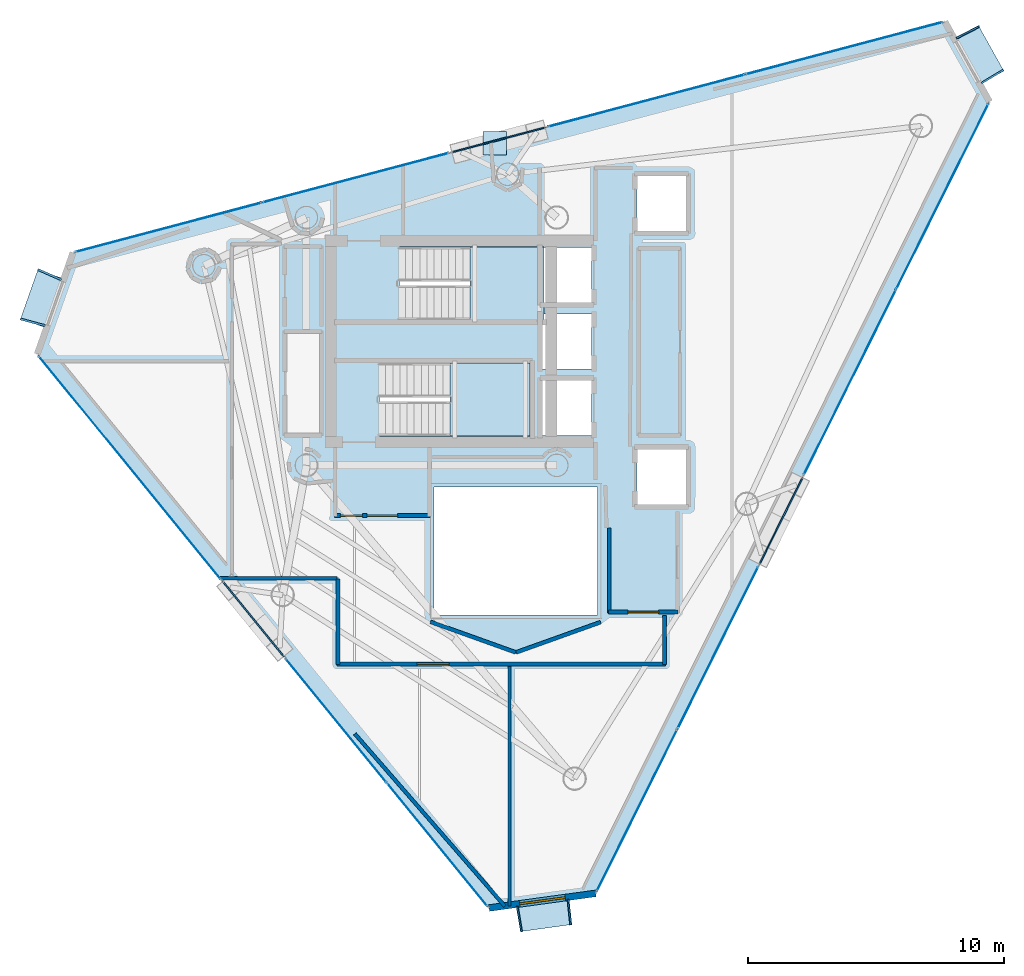
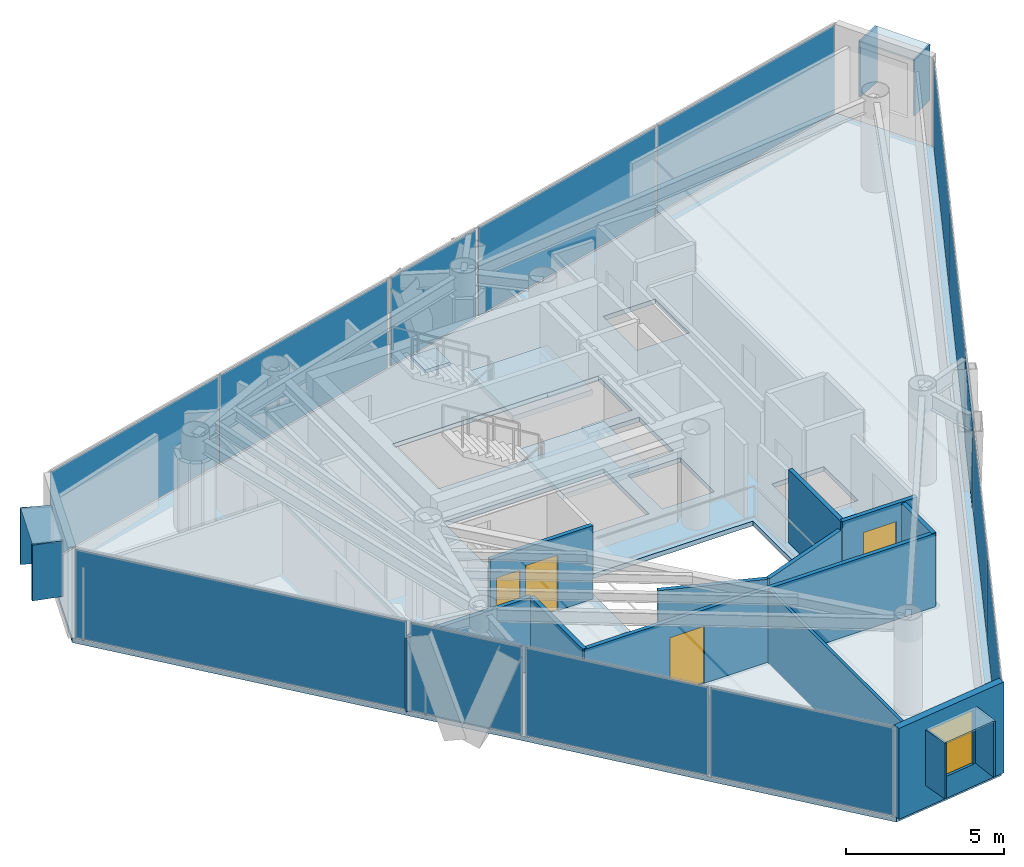
# One storey, part 18 of 23: 24 plates, 12 walls, 4 doors, 3 slabs, 1 window, 5 openings, 11 elements without a shape of their own.
"""IFC4 building model written with IfcOpenShell, lengths in metres."""

from ifc_helpers import new_model, si_unit, direction, frame, frame_2d, origin, origin_2d, place, context, subcontext, project, spatial, polyline, rectangle, outline, extrude, material, layer, layer_set, type_object, element, fill, aggregate, save


model = new_model("IFC4")

# Units and contexts
model_context = context("Model", 3, precision=1e-05, world=origin(), true_north=direction((0.0, 1.0)))
body_context = subcontext(model_context, "Body", "Model", "MODEL_VIEW")
ifc_project = project(units=[si_unit("LENGTHUNIT", "METRE"), si_unit("AREAUNIT", "SQUARE_METRE"), si_unit("VOLUMEUNIT", "CUBIC_METRE"), si_unit("PLANEANGLEUNIT", "RADIAN"), si_unit("MASSUNIT", "GRAM", prefix="KILO")], contexts=[model_context])

# Site, building, storey
site_placement = place(None, origin())
site = spatial("IfcSite", under=ifc_project, at=site_placement, CompositionType="ELEMENT")
building_placement = place(site_placement, origin())
building = spatial("IfcBuilding", under=site, at=building_placement, Name="Qianvela Tower", CompositionType="ELEMENT")
storey_placement = place(building_placement, frame((0.0, 0.0, 313.89990234375)))
storey = spatial("IfcBuildingStorey", under=building, at=storey_placement, Name="L81", CompositionType="ELEMENT", Elevation=313.89990234375)

# Curtain wall, plate
ifc_material_1 = material(Name="Anodised Architectural Aluminium and Insulated Spandrel Panel", Category="aluminium")
ifc_layer_1 = layer(ifc_material_1, 0.179931640625)
ifc_layer_set_1 = layer_set([ifc_layer_1], Name="Anodised Architectural Aluminium and Insulated Spandrel Panel")
curtain_wall_type_1 = type_object("IfcCurtainWallType", Name="CW-BRACEBAY", PredefinedType="USERDEFINED", material=ifc_layer_set_1)
curtain_wall_1_placement = place(storey_placement, origin())
curtain_wall_1 = element("IfcCurtainWall", 1, at=curtain_wall_1_placement, inside=storey, type_object=curtain_wall_type_1, Name="L81 CW-BRACEBAY Curtain Wall 02B", ObjectType="CURTAIN_WALL_SYSTEM", PredefinedType="USERDEFINED")
ifc_material_2 = material(Name="Insulated Aluminium Spandrel Panel with Mineral-Wool Backpan", Category="aluminium")
ifc_layer_2 = layer(ifc_material_2, 0.06005859375)
ifc_layer_set_2 = layer_set([ifc_layer_2], Name="Insulated Aluminium Spandrel Panel with Mineral-Wool Backpan")
plate_type_1 = type_object("IfcPlateType", Name="CW-BRACEBAY-PNL", PredefinedType="CURTAIN_PANEL", material=ifc_layer_set_2)
plate_1_placement = place(storey_placement, frame((36.120361328125, 36.588134765625, 0.06494140625), z_axis=(0.0, 0.0, 1.0), x_axis=(-0.96660852102, -0.256257618602, 0.0)))
plate_1 = element("IfcPlate", 2, at=plate_1_placement, type_object=plate_type_1, Name="CW-9 panel 1.1", PredefinedType="CURTAIN_PANEL", context=body_context, shape_type="SweptSolid", body=[
    extrude(rectangle(XDim=3.800048828125, YDim=0.06005859375, at=origin_2d()), origin(), (0.0, 0.0, 1.0), 3.389892578125),
])
aggregate(curtain_wall_1, [plate_1])

curtain_wall_2_placement = place(storey_placement, origin())
curtain_wall_2 = element("IfcCurtainWall", 3, at=curtain_wall_2_placement, inside=storey, type_object=curtain_wall_type_1, Name="L81 CW-BRACEBAY Curtain Wall 04B", ObjectType="CURTAIN_WALL_SYSTEM", PredefinedType="USERDEFINED")
plate_2_placement = place(storey_placement, frame((26.5224609375, 17.835693359375, 0.06494140625), z_axis=(0.0, 0.0, 1.0), x_axis=(0.632009322887, -0.774960783384, 0.0)))
plate_2 = element("IfcPlate", 4, at=plate_2_placement, type_object=plate_type_1, Name="CW-9 panel 1.1", PredefinedType="CURTAIN_PANEL", context=body_context, shape_type="SweptSolid", body=[
    extrude(rectangle(XDim=3.800048828125, YDim=0.06005859375, at=origin_2d()), origin(), (0.0, 0.0, 1.0), 3.389892578125),
])
aggregate(curtain_wall_2, [plate_2])

curtain_wall_3_placement = place(storey_placement, origin())
curtain_wall_3 = element("IfcCurtainWall", 5, at=curtain_wall_3_placement, inside=storey, type_object=curtain_wall_type_1, Name="L81 CW-BRACEBAY Curtain Wall 06B", ObjectType="CURTAIN_WALL_SYSTEM", PredefinedType="USERDEFINED")
plate_3_placement = place(storey_placement, frame((47.175537109375, 21.677001953125, 0.06494140625), z_axis=(0.0, 0.0, 1.0), x_axis=(0.445370401715, 0.895346416353, 0.0)))
plate_3 = element("IfcPlate", 6, at=plate_3_placement, type_object=plate_type_1, Name="CW-9 panel 1.1", PredefinedType="CURTAIN_PANEL", context=body_context, shape_type="SweptSolid", body=[
    extrude(rectangle(XDim=3.800048828125, YDim=0.06005859375, at=origin_2d()), origin(), (0.0, 0.0, 1.0), 3.389892578125),
])
aggregate(curtain_wall_3, [plate_3])

# Curtain wall, plates
ifc_material_3 = material(Name="Anodised Architectural Aluminium and Low-E Glass", Category="aluminium")
ifc_layer_3 = layer(ifc_material_3, 0.14990234375)
ifc_layer_set_3 = layer_set([ifc_layer_3], Name="Anodised Architectural Aluminium and Low-E Glass")
curtain_wall_type_2 = type_object("IfcCurtainWallType", Name="CW-COLIV-Z78", PredefinedType="USERDEFINED", material=ifc_layer_set_3)
curtain_wall_4_placement = place(storey_placement, origin())
curtain_wall_4 = element("IfcCurtainWall", 7, at=curtain_wall_4_placement, inside=storey, type_object=curtain_wall_type_2, Name="L81 CW-COLIV-Z78 Curtain Wall 02A", ObjectType="CURTAIN_WALL_SYSTEM", PredefinedType="USERDEFINED")
ifc_material_4 = material(Name="Double-Silver Low-E Insulated Glass", Category="glass")
ifc_layer_4 = layer(ifc_material_4, 0.02587890625)
ifc_layer_set_4 = layer_set([ifc_layer_4], Name="Double-Silver Low-E Insulated Glass")
plate_type_2 = type_object("IfcPlateType", Name="CW-COLIV-Z78-PNL", PredefinedType="CURTAIN_PANEL", material=ifc_layer_set_4)
plate_4_placement = place(storey_placement, frame((49.640869140625, 40.17236328125, 0.06005859375), z_axis=(0.0, 0.0, 1.0), x_axis=(-0.966614232561, -0.256236073592, 0.0)))
plate_4 = element("IfcPlate", 8, at=plate_4_placement, type_object=plate_type_2, Name="CW-6 panel 1.1", PredefinedType="CURTAIN_PANEL", context=body_context, shape_type="SweptSolid", body=[
    extrude(rectangle(XDim=7.93505859375, YDim=0.02587890625, at=origin_2d()), origin(), (0.0, 0.0, 1.0), 3.39990234375),
])
plate_5_placement = place(storey_placement, frame((41.912841796875, 38.123779296875, 0.06005859375), z_axis=(0.0, 0.0, 1.0), x_axis=(-0.966614232561, -0.256236073592, 0.0)))
plate_5 = element("IfcPlate", 9, at=plate_5_placement, type_object=plate_type_2, Name="CW-6 panel 2.1", PredefinedType="CURTAIN_PANEL", context=body_context, shape_type="SweptSolid", body=[
    extrude(rectangle(XDim=7.93505859375, YDim=0.02587890625, at=origin_2d()), origin(), (0.0, 0.0, 1.0), 3.39990234375),
])
aggregate(curtain_wall_4, [plate_4, plate_5])

curtain_wall_5_placement = place(storey_placement, origin())
curtain_wall_5 = element("IfcCurtainWall", 10, at=curtain_wall_5_placement, inside=storey, type_object=curtain_wall_type_2, Name="L81 CW-COLIV-Z78 Curtain Wall 02C", ObjectType="CURTAIN_WALL_SYSTEM", PredefinedType="USERDEFINED")
plate_6_placement = place(storey_placement, frame((30.53076171875, 35.1064453125, 0.06005859375), z_axis=(0.0, 0.0, 1.0), x_axis=(-0.966614046935, -0.25623677384, 0.0)))
plate_6 = element("IfcPlate", 11, at=plate_6_placement, type_object=plate_type_2, Name="CW-6 panel 1.1", PredefinedType="CURTAIN_PANEL", context=body_context, shape_type="SweptSolid", body=[
    extrude(rectangle(XDim=7.515380859375, YDim=0.02587890625, at=origin_2d()), origin(), (0.0, 0.0, 1.0), 3.39990234375),
])
plate_7_placement = place(storey_placement, frame((23.208251953125, 33.165283203125, 0.06005859375), z_axis=(0.0, 0.0, 1.0), x_axis=(-0.966614046935, -0.25623677384, 0.0)))
plate_7 = element("IfcPlate", 12, at=plate_7_placement, type_object=plate_type_2, Name="CW-6 panel 2.1", PredefinedType="CURTAIN_PANEL", context=body_context, shape_type="SweptSolid", body=[
    extrude(rectangle(XDim=7.515380859375, YDim=0.02587890625, at=origin_2d()), origin(), (0.0, 0.0, 1.0), 3.39990234375),
])
aggregate(curtain_wall_5, [plate_6, plate_7])

# Curtain wall, plate
curtain_wall_6_placement = place(storey_placement, origin())
curtain_wall_6 = element("IfcCurtainWall", 13, at=curtain_wall_6_placement, inside=storey, type_object=curtain_wall_type_2, Name="L81 CW-COLIV-Z78 Curtain Wall 04A", ObjectType="CURTAIN_WALL_SYSTEM", PredefinedType="USERDEFINED")
plate_8_placement = place(storey_placement, frame((21.690673828125, 23.76025390625, 0.06005859375), z_axis=(0.0, 0.0, 1.0), x_axis=(0.632030474039, -0.774943533353, 0.0)))
plate_8 = element("IfcPlate", 14, at=plate_8_placement, type_object=plate_type_2, Name="CW-6 panel 1.1", PredefinedType="CURTAIN_PANEL", context=body_context, shape_type="SweptSolid", body=[
    extrude(rectangle(XDim=11.239990234375, YDim=0.02587890625, at=origin_2d()), origin(), (0.0, 0.0, 1.0), 3.39990234375),
])
aggregate(curtain_wall_6, [plate_8])

# Curtain wall, plates
curtain_wall_7_placement = place(storey_placement, origin())
curtain_wall_7 = element("IfcCurtainWall", 15, at=curtain_wall_7_placement, inside=storey, type_object=curtain_wall_type_2, Name="L81 CW-COLIV-Z78 Curtain Wall 04C", ObjectType="CURTAIN_WALL_SYSTEM", PredefinedType="USERDEFINED")
plate_9_placement = place(storey_placement, frame((29.761962890625, 13.863525390625, 0.06005859375), z_axis=(0.0, 0.0, 1.0), x_axis=(0.632030406642, -0.774943588321, 0.0)))
plate_9 = element("IfcPlate", 16, at=plate_9_placement, type_object=plate_type_2, Name="CW-6 panel 1.1", PredefinedType="CURTAIN_PANEL", context=body_context, shape_type="SweptSolid", body=[
    extrude(rectangle(XDim=6.201171875, YDim=0.02587890625, at=origin_2d()), origin(), (0.0, 0.0, 1.0), 3.39990234375),
])
plate_10_placement = place(storey_placement, frame((33.71923828125, 9.011474609375, 0.06005859375), z_axis=(0.0, 0.0, 1.0), x_axis=(0.632030406642, -0.774943588321, 0.0)))
plate_10 = element("IfcPlate", 17, at=plate_10_placement, type_object=plate_type_2, Name="CW-6 panel 2.1", PredefinedType="CURTAIN_PANEL", context=body_context, shape_type="SweptSolid", body=[
    extrude(rectangle(XDim=6.201171875, YDim=0.02587890625, at=origin_2d()), origin(), (0.0, 0.0, 1.0), 3.39990234375),
])
aggregate(curtain_wall_7, [plate_9, plate_10])

curtain_wall_8_placement = place(storey_placement, origin())
curtain_wall_8 = element("IfcCurtainWall", 18, at=curtain_wall_8_placement, inside=storey, type_object=curtain_wall_type_2, Name="L81 CW-COLIV-Z78 Curtain Wall 06A", ObjectType="CURTAIN_WALL_SYSTEM", PredefinedType="USERDEFINED")
plate_11_placement = place(storey_placement, frame((41.54052734375, 10.3486328125, 0.06005859375), z_axis=(0.0, 0.0, 1.0), x_axis=(0.445368214486, 0.895347504339, 0.0)))
plate_11 = element("IfcPlate", 19, at=plate_11_placement, type_object=plate_type_2, Name="CW-6 panel 1.1", PredefinedType="CURTAIN_PANEL", context=body_context, shape_type="SweptSolid", body=[
    extrude(rectangle(XDim=7.044921875, YDim=0.02587890625, at=origin_2d()), origin(), (0.0, 0.0, 1.0), 3.39990234375),
])
plate_12_placement = place(storey_placement, frame((44.704833984375, 16.710205078125, 0.06005859375), z_axis=(0.0, 0.0, 1.0), x_axis=(0.445368214486, 0.895347504339, 0.0)))
plate_12 = element("IfcPlate", 20, at=plate_12_placement, type_object=plate_type_2, Name="CW-6 panel 2.1", PredefinedType="CURTAIN_PANEL", context=body_context, shape_type="SweptSolid", body=[
    extrude(rectangle(XDim=7.044921875, YDim=0.02587890625, at=origin_2d()), origin(), (0.0, 0.0, 1.0), 3.39990234375),
])
aggregate(curtain_wall_8, [plate_11, plate_12])

curtain_wall_9_placement = place(storey_placement, origin())
curtain_wall_9 = element("IfcCurtainWall", 21, at=curtain_wall_9_placement, inside=storey, type_object=curtain_wall_type_2, Name="L81 CW-COLIV-Z78 Curtain Wall 06C", ObjectType="CURTAIN_WALL_SYSTEM", PredefinedType="USERDEFINED")
plate_13_placement = place(storey_placement, frame((49.872802734375, 27.099365234375, 0.06005859375), z_axis=(0.0, 0.0, 1.0), x_axis=(0.445367729743, 0.895347745462, 0.0)))
plate_13 = element("IfcPlate", 22, at=plate_13_placement, type_object=plate_type_2, Name="CW-6 panel 1.1", PredefinedType="CURTAIN_PANEL", context=body_context, shape_type="SweptSolid", body=[
    extrude(rectangle(XDim=8.062255859375, YDim=0.02587890625, at=origin_2d()), origin(), (0.0, 0.0, 1.0), 3.39990234375),
])
plate_14_placement = place(storey_placement, frame((53.489990234375, 34.37158203125, 0.06005859375), z_axis=(0.0, 0.0, 1.0), x_axis=(0.445367729743, 0.895347745462, 0.0)))
plate_14 = element("IfcPlate", 23, at=plate_14_placement, type_object=plate_type_2, Name="CW-6 panel 2.1", PredefinedType="CURTAIN_PANEL", context=body_context, shape_type="SweptSolid", body=[
    extrude(rectangle(XDim=8.062255859375, YDim=0.02587890625, at=origin_2d()), origin(), (0.0, 0.0, 1.0), 3.39990234375),
])
aggregate(curtain_wall_9, [plate_13, plate_14])

# Plate
ifc_material_5 = material(Name="Steel Q420GJC", Category="steel")
ifc_layer_5 = layer(ifc_material_5, 0.1298828125)
ifc_layer_set_5 = layer_set([ifc_layer_5], Name="Steel Q420GJC")
plate_type_3 = type_object("IfcPlateType", Name="PT-ENDCAP-130", PredefinedType="USERDEFINED", material=ifc_layer_set_5)
plate_15_placement = place(storey_placement, frame((35.96875, 36.465087890625, -0.603271484375), z_axis=(0.0, 0.0, 1.0), x_axis=(1.0, 0.0, 0.0)))
element("IfcPlate", 24, at=plate_15_placement, inside=storey, type_object=plate_type_3, Name="L81 Hollow Section End Cap Plate A", ObjectType="END_CAP", PredefinedType="USERDEFINED", context=body_context, shape_type="SweptSolid", body=[
    extrude(rectangle(XDim=0.919921875, YDim=0.919921875, at=origin_2d()), origin(), (0.0, 0.0, 1.0), 0.1298828125),
])

# Slab
ifc_material_6 = material(Name="Concrete C40", Category="concrete")
ifc_layer_6 = layer(ifc_material_6, 0.179931640625)
ifc_layer_set_6 = layer_set([ifc_layer_6], Name="Concrete C40")
slab_type_1 = type_object("IfcSlabType", Name="SL-FLOOR-180", PredefinedType="FLOOR", material=ifc_layer_set_6)
slab_1_placement = place(storey_placement, frame((0.0, 0.0, -0.179931640625)))
element("IfcSlab", 25, at=slab_1_placement, inside=storey, type_object=slab_type_1, Name="L81 Composite Structural Floor Slab", PredefinedType="FLOOR", context=body_context, shape_type="SweptSolid", body=[
    extrude(outline(polyline([(55.33447265625, 38.0791015625), (53.582275390625, 41.21728515625), (19.469482421875, 32.17431640625), (18.069091796875, 28.20068359375), (35.74853515625, 6.5234375), (39.922607421875, 7.09619140625), (55.33447265625, 38.0791015625)]), holes=[polyline([(40.0, 23.0), (33.60009765625, 23.0), (33.60009765625, 18.0), (40.0, 18.0), (40.0, 23.0)]), polyline([(43.4599609375, 24.47998046875), (41.5400390625, 24.47998046875), (41.5400390625, 22.320068359375), (43.4599609375, 22.320068359375), (43.4599609375, 24.47998046875)]), polyline([(39.760009765625, 27.179931640625), (37.840087890625, 27.179931640625), (37.840087890625, 25.02001953125), (39.760009765625, 25.02001953125), (39.760009765625, 27.179931640625)]), polyline([(37.35009765625, 27.860107421875), (31.469970703125, 27.860107421875), (31.469970703125, 25.0), (37.35009765625, 25.0), (37.35009765625, 27.860107421875)]), polyline([(39.760009765625, 27.6201171875), (39.760009765625, 29.780029296875), (37.89990234375, 29.780029296875), (37.89990234375, 30.219970703125), (39.760009765625, 30.219970703125), (39.760009765625, 32.3798828125), (37.89990234375, 32.3798828125), (37.89990234375, 32.39990234375), (32.25, 32.39990234375), (32.25, 29.5400390625), (37.840087890625, 29.5400390625), (37.840087890625, 27.6201171875), (39.760009765625, 27.6201171875)]), polyline([(43.4599609375, 35.179931640625), (41.5400390625, 35.179931640625), (41.5400390625, 33.02001953125), (43.4599609375, 33.02001953125), (43.4599609375, 35.179931640625)])]), origin(), (0.0, 0.0, 1.0), 0.179931640625),
])

# Stair, slab
ifc_material_7 = material(Name="Concrete C40", Category="concrete")
stair_type = type_object("IfcStairType", Name="ST-DOGLEG-1350-R168-N22", PredefinedType="HALF_TURN_STAIR", material=ifc_material_7)
stair_1_placement = place(storey_placement, origin())
stair_1 = element("IfcStair", 26, at=stair_1_placement, inside=storey, type_object=stair_type, Name="L81 Smoke-Proof Core Stair ST-1", PredefinedType="HALF_TURN_STAIR")
ifc_material_8 = material(Name="Concrete C40", Category="concrete")
ifc_layer_7 = layer(ifc_material_8, 0.199951171875)
ifc_layer_set_7 = layer_set([ifc_layer_7], Name="Concrete C40")
slab_type_2 = type_object("IfcSlabType", Name="SL-STAIR-LANDING-200", PredefinedType="LANDING", material=ifc_layer_set_7)
slab_2_placement = place(storey_placement, frame((0.0, 0.0, 1.650146484375)))
slab_2 = element("IfcSlab", 27, at=slab_2_placement, type_object=slab_type_2, Name="ST-1 landing 1", PredefinedType="LANDING", context=body_context, shape_type="SweptSolid", body=[
    extrude(outline(polyline([(35.0, 29.5400390625), (37.89990234375, 29.5400390625), (37.89990234375, 32.39990234375), (35.0, 32.39990234375), (35.0, 29.5400390625)])), origin(), (0.0, 0.0, 1.0), 0.199951171875),
])
aggregate(stair_1, [slab_2])

stair_2_placement = place(storey_placement, origin())
stair_2 = element("IfcStair", 28, at=stair_2_placement, inside=storey, type_object=stair_type, Name="L81 Smoke-Proof Core Stair ST-2", PredefinedType="HALF_TURN_STAIR")
slab_3_placement = place(storey_placement, frame((0.0, 0.0, 1.650146484375)))
slab_3 = element("IfcSlab", 29, at=slab_3_placement, type_object=slab_type_2, Name="ST-2 landing 1", PredefinedType="LANDING", context=body_context, shape_type="SweptSolid", body=[
    extrude(outline(polyline([(34.219970703125, 25.0), (37.35009765625, 25.0), (37.35009765625, 27.860107421875), (34.219970703125, 27.860107421875), (34.219970703125, 25.0)])), origin(), (0.0, 0.0, 1.0), 0.199951171875),
])
aggregate(stair_2, [slab_3])

# Plates
ifc_material_9 = material(Name="Vitrified Architectural Terracotta Panel", Category="masonry")
ifc_layer_8 = layer(ifc_material_9, 0.06494140625)
ifc_layer_set_8 = layer_set([ifc_layer_8], Name="Vitrified Architectural Terracotta Panel")
plate_type_4 = type_object("IfcPlateType", Name="TERRACOTTA-SUNSHADE-HOOD-FOLD-B", PredefinedType="USERDEFINED", material=ifc_layer_set_8)
for number, where, z_axis, x_axis, name in (
    (30, (54.968994140625, 39.933349609375, 2.9599609375), (0.0, 0.0, 1.0), (-0.487506158701, 0.873119548074, 0.0), "L81 Terracotta Sunshade Hood FOLD-B"),
    (31, (37.9150390625, 6.230224609375, 2.9599609375), (0.0, 0.0, 1.0), (0.990715598465, 0.13595073725, 0.0), "L81 Terracotta Sunshade Hood FOLD-B"),
):
    element("IfcPlate", number, at=place(storey_placement, frame(where, z_axis=z_axis, x_axis=x_axis)), inside=storey, type_object=plate_type_4, Name=name, ObjectType="SUNSHADE", PredefinedType="USERDEFINED", context=body_context, shape_type="SweptSolid", body=[
        extrude(rectangle(XDim=2.0400390625, YDim=0.989990234375, at=origin_2d()), origin(), (0.0, 0.0, 1.0), 0.06005859375),
    ])
ifc_material_10 = material(Name="Vitrified Architectural Terracotta Panel", Category="masonry")
ifc_layer_9 = layer(ifc_material_10, 0.074951171875)
ifc_layer_set_9 = layer_set([ifc_layer_9], Name="Vitrified Architectural Terracotta Panel")
plate_type_5 = type_object("IfcPlateType", Name="TERRACOTTA-SUNSHADE-HOOD-FOLD-D", PredefinedType="USERDEFINED", material=ifc_layer_set_9)
plate_16_placement = place(storey_placement, frame((18.217529296875, 30.3818359375, 2.9599609375), z_axis=(0.0, 0.0, 1.0), x_axis=(-0.332401471275, -0.943137986667, 0.0)))
element("IfcPlate", 32, at=plate_16_placement, inside=storey, type_object=plate_type_5, Name="L81 Terracotta Sunshade Hood FOLD-D", ObjectType="SUNSHADE", PredefinedType="USERDEFINED", context=body_context, shape_type="SweptSolid", body=[
    extrude(rectangle(XDim=2.0400390625, YDim=0.989990234375, at=origin_2d()), origin(), (0.0, 0.0, 1.0), 0.06005859375),
])
ifc_material_11 = material(Name="Vitrified Architectural Terracotta Side Fin Panel", Category="masonry")
ifc_layer_10 = layer(ifc_material_11, 0.070068359375)
ifc_layer_set_10 = layer_set([ifc_layer_10], Name="Vitrified Architectural Terracotta Side Fin Panel")
plate_type_6 = type_object("IfcPlateType", Name="TERRACOTTA-SUNSHADE-STRUT-FOLD-B", PredefinedType="USERDEFINED", material=ifc_layer_set_10)
for number, where, z_axis, x_axis, name in (
    (33, (55.451904296875, 39.069091796875, 0.85009765625), (0.0, 0.0, 1.0), (-0.513942554214, 0.857824603848, 0.0), "L81 Terracotta Sunshade Side Fin HL FOLD-B"),
    (34, (54.486572265625, 40.7978515625, 0.85009765625), (0.0, 0.0, 1.0), (-0.460615008509, 0.887600030383, 0.0), "L81 Terracotta Sunshade Side Fin HR FOLD-B"),
    (35, (36.934326171875, 6.095703125, 0.85009765625), (0.0, 0.0, 1.0), (0.986101786246, 0.166142309972, 0.0), "L81 Terracotta Sunshade Side Fin HL FOLD-B"),
    (36, (38.89599609375, 6.364990234375, 0.85009765625), (0.0, 0.0, 1.0), (0.994405253017, 0.10563234719, 0.0), "L81 Terracotta Sunshade Side Fin HR FOLD-B"),
):
    element("IfcPlate", number, at=place(storey_placement, frame(where, z_axis=z_axis, x_axis=x_axis)), inside=storey, type_object=plate_type_6, Name=name, ObjectType="SUNSHADE", PredefinedType="USERDEFINED", context=body_context, shape_type="SweptSolid", body=[
        extrude(rectangle(XDim=0.070068359375, YDim=1.010009765625, at=origin_2d()), origin(), (0.0, 0.0, 1.0), 2.159912109375),
    ])
ifc_material_12 = material(Name="Vitrified Architectural Terracotta Side Fin Panel", Category="masonry")
ifc_layer_11 = layer(ifc_material_12, 0.080078125)
ifc_layer_set_11 = layer_set([ifc_layer_11], Name="Vitrified Architectural Terracotta Side Fin Panel")
plate_type_7 = type_object("IfcPlateType", Name="TERRACOTTA-SUNSHADE-STRUT-FOLD-D", PredefinedType="USERDEFINED", material=ifc_layer_set_11)
for number, where, z_axis, x_axis, name in (
    (37, (18.546630859375, 31.315673828125, 0.85009765625), (0.0, 0.0, 1.0), (-0.401381960994, -0.915910760603, 0.0), "L81 Terracotta Sunshade Side Fin HL FOLD-D"),
    (38, (17.888427734375, 29.4482421875, 0.85009765625), (0.0, 0.0, 1.0), (-0.261592896519, -0.965178302953, 0.0), "L81 Terracotta Sunshade Side Fin HR FOLD-D"),
):
    element("IfcPlate", number, at=place(storey_placement, frame(where, z_axis=z_axis, x_axis=x_axis)), inside=storey, type_object=plate_type_7, Name=name, ObjectType="SUNSHADE", PredefinedType="USERDEFINED", context=body_context, shape_type="SweptSolid", body=[
        extrude(rectangle(XDim=0.080078125, YDim=1.010009765625, at=origin_2d()), origin(), (0.0, 0.0, 1.0), 2.159912109375),
    ])

# Wall, opening, window
ifc_material_13 = material(Name="Terracotta Cladding on Concrete C40", Category="masonry")
ifc_layer_12 = layer(ifc_material_13, 0.260009765625)
ifc_layer_set_12 = layer_set([ifc_layer_12], Name="Terracotta Cladding on Concrete C40")
wall_type_1 = type_object("IfcWallType", Name="TERRACOTTA-WALL-260", PredefinedType="SOLIDWALL", material=ifc_layer_set_12)
wall_1_placement = place(storey_placement, frame((35.74853515625, 6.5234375, 0.0), z_axis=(0.0, 0.0, 1.0), x_axis=(0.990716630133, 0.135943218944, 0.0)))
wall_1 = element("IfcWall", 39, at=wall_1_placement, inside=storey, type_object=wall_type_1, Name="L81 Terracotta Chamfer Facet Wall 5", PredefinedType="SOLIDWALL", context=body_context, shape_type="SweptSolid", body=[
    extrude(rectangle(XDim=4.213134765625, YDim=0.260009765625, at=frame_2d((2.1064453125, 0.0))), origin(), (0.0, 0.0, 1.0), 3.52001953125),
])
opening_1_placement = place(wall_1_placement, frame((1.206787109375, 0.0, 0.85009765625)))
opening_1 = element("IfcOpeningElement", 40, at=opening_1_placement, cuts=wall_1, Name="Opening W-01", PredefinedType="OPENING", context=body_context, shape_type="SweptSolid", body=[
    extrude(rectangle(XDim=1.800048828125, YDim=2.10009765625, at=frame_2d((0.89990234375, 1.050048828125))), frame((0.0, 0.139892578125, 0.0), z_axis=(0.0, -1.0, 0.0), x_axis=(1.0, 0.0, 0.0)), (0.0, 0.0, 1.0), 0.280029296875),
])
ifc_material_14 = material(Name="Thermally Broken Aluminium and Low-E Glass", Category="aluminium")
window_type = type_object("IfcWindowType", Name="WIN-TC-1800x2100", PartitioningType="DOUBLE_PANEL_VERTICAL", PredefinedType="WINDOW", material=ifc_material_14)
window_placement = place(opening_1_placement, origin())
window = element("IfcWindow", 41, at=window_placement, inside=storey, type_object=window_type, Name="L81 Chamfer Facet Window 5.1", OverallHeight=2.10009765625, OverallWidth=1.800048828125, PartitioningType="SINGLE_PANEL", PredefinedType="WINDOW", context=body_context, shape_type="SweptSolid", body=[
    extrude(rectangle(XDim=1.800048828125, YDim=2.10009765625, at=frame_2d((0.89990234375, 1.050048828125))), frame((0.0, 0.030029296875, 0.0), z_axis=(0.0, -1.0, 0.0), x_axis=(1.0, 0.0, 0.0)), (0.0, 0.0, 1.0), 0.06005859375),
])
fill(opening_1, window)

# Wall, openings, doors
ifc_material_15 = material(Name="Fire-Rated Acoustic Gypsum Board")
ifc_layer_13 = layer(ifc_material_15, 0.14990234375)
ifc_layer_set_13 = layer_set([ifc_layer_13], Name="Fire-Rated Acoustic Gypsum Board")
wall_type_2 = type_object("IfcWallType", Name="WT-CORR-150", PredefinedType="PARTITIONING", material=ifc_layer_set_13)
wall_2_placement = place(storey_placement, frame((33.449951171875, 21.881103515625, 0.0), z_axis=(0.0, 0.0, 1.0), x_axis=(-1.0, 0.0, 0.0)))
wall_2 = element("IfcWall", 42, at=wall_2_placement, inside=storey, type_object=wall_type_2, Name="L81 Partition 5", PredefinedType="PARTITIONING", context=body_context, shape_type="SweptSolid", body=[
    extrude(rectangle(XDim=3.75, YDim=0.14990234375, at=frame_2d((1.875, 0.0))), origin(), (0.0, 0.0, 1.0), 2.840087890625),
])
opening_2_placement = place(wall_2_placement, frame((1.27490234375, 0.0, 0.0)))
opening_2 = element("IfcOpeningElement", 43, at=opening_2_placement, cuts=wall_2, Name="Opening D-LB1", PredefinedType="OPENING", context=body_context, shape_type="SweptSolid", body=[
    extrude(rectangle(XDim=1.199951171875, YDim=2.14990234375, at=frame_2d((0.60009765625, 1.074951171875))), frame((0.0, 0.0849609375, 0.0), z_axis=(0.0, -1.0, 0.0), x_axis=(1.0, 0.0, 0.0)), (0.0, 0.0, 1.0), 0.169921875),
])
opening_3_placement = place(wall_2_placement, frame((2.659912109375, 0.0, 0.0)))
opening_3 = element("IfcOpeningElement", 44, at=opening_3_placement, cuts=wall_2, Name="Opening D-LB2", PredefinedType="OPENING", context=body_context, shape_type="SweptSolid", body=[
    extrude(rectangle(XDim=0.860107421875, YDim=2.050048828125, at=frame_2d((0.43017578125, 1.02490234375))), frame((0.0, 0.0849609375, 0.0), z_axis=(0.0, -1.0, 0.0), x_axis=(1.0, 0.0, 0.0)), (0.0, 0.0, 1.0), 0.169921875),
])
ifc_material_16 = material(Name="Glazed Fire-Rated Steel Frame", Category="steel")
door_type_1 = type_object("IfcDoorType", Name="DT-LOBBY-FD90", OperationType="NOTDEFINED", PredefinedType="DOOR", material=ifc_material_16)
door_1_placement = place(opening_2_placement, origin())
door_1 = element("IfcDoor", 45, at=door_1_placement, inside=storey, type_object=door_type_1, Name="L81 Door L81 Firefighting Lobby South to L81 Floor Corridor", OperationType="SINGLE_SWING_LEFT", OverallHeight=2.14990234375, OverallWidth=1.199951171875, PredefinedType="DOOR", context=body_context, shape_type="SweptSolid", body=[
    extrude(rectangle(XDim=1.199951171875, YDim=2.14990234375, at=frame_2d((0.60009765625, 1.074951171875))), frame((0.0, 0.02490234375, 0.0), z_axis=(0.0, -1.0, 0.0), x_axis=(1.0, 0.0, 0.0)), (0.0, 0.0, 1.0), 0.050048828125),
])
fill(opening_2, door_1)
ifc_material_17 = material(Name="Insulated Steel Fire Door Q355B", Category="steel")
door_type_2 = type_object("IfcDoorType", Name="DT-LOBBY-FD90-860", OperationType="NOTDEFINED", PredefinedType="DOOR", material=ifc_material_17)
door_2_placement = place(opening_3_placement, origin())
door_2 = element("IfcDoor", 46, at=door_2_placement, inside=storey, type_object=door_type_2, Name="L81 Door L81 Firefighting Lobby South to L81 Floor Corridor", OperationType="SINGLE_SWING_LEFT", OverallHeight=2.050048828125, OverallWidth=0.860107421875, PredefinedType="DOOR", context=body_context, shape_type="SweptSolid", body=[
    extrude(rectangle(XDim=0.860107421875, YDim=2.050048828125, at=frame_2d((0.43017578125, 1.02490234375))), frame((0.0, 0.02490234375, 0.0), z_axis=(0.0, -1.0, 0.0), x_axis=(1.0, 0.0, 0.0)), (0.0, 0.0, 1.0), 0.050048828125),
])
fill(opening_3, door_2)

# Wall, opening, door
wall_3_placement = place(storey_placement, frame((43.14990234375, 18.111083984375, 0.0), z_axis=(0.0, 0.0, 1.0), x_axis=(-1.0, 0.0, 0.0)))
wall_3 = element("IfcWall", 47, at=wall_3_placement, inside=storey, type_object=wall_type_2, Name="L81 Partition 17", PredefinedType="PARTITIONING", context=body_context, shape_type="SweptSolid", body=[
    extrude(rectangle(XDim=2.72998046875, YDim=0.14990234375, at=frame_2d((1.364990234375, 0.0))), origin(), (0.0, 0.0, 1.0), 2.840087890625),
])
opening_4_placement = place(wall_3_placement, frame((0.764892578125, 0.0, 0.0)))
opening_4 = element("IfcOpeningElement", 48, at=opening_4_placement, cuts=wall_3, Name="Opening D-LB1", PredefinedType="OPENING", context=body_context, shape_type="SweptSolid", body=[
    extrude(rectangle(XDim=1.199951171875, YDim=2.14990234375, at=frame_2d((0.60009765625, 1.074951171875))), frame((0.0, 0.0849609375, 0.0), z_axis=(0.0, -1.0, 0.0), x_axis=(1.0, 0.0, 0.0)), (0.0, 0.0, 1.0), 0.169921875),
])
door_3_placement = place(opening_4_placement, origin())
door_3 = element("IfcDoor", 49, at=door_3_placement, inside=storey, type_object=door_type_1, Name="L81 Door L81 Lift Lobby to L81 Floor Corridor", OperationType="SINGLE_SWING_RIGHT", OverallHeight=2.14990234375, OverallWidth=1.199951171875, PredefinedType="DOOR", context=body_context, shape_type="SweptSolid", body=[
    extrude(rectangle(XDim=1.199951171875, YDim=2.14990234375, at=frame_2d((0.60009765625, 1.074951171875))), frame((0.0, 0.02490234375, 0.0), z_axis=(0.0, -1.0, 0.0), x_axis=(1.0, 0.0, 0.0)), (0.0, 0.0, 1.0), 0.050048828125),
])
fill(opening_4, door_3)

# Walls
wall_4_placement = place(storey_placement, frame((40.450927734375, 18.080078125, 0.0), z_axis=(0.0, 0.0, 1.0), x_axis=(0.0, 1.0, 0.0)))
element("IfcWall", 50, at=wall_4_placement, inside=storey, type_object=wall_type_2, Name="L81 Partition 18 seg 1", PredefinedType="PARTITIONING", context=body_context, shape_type="SweptSolid", body=[
    extrude(rectangle(XDim=3.31982421875, YDim=0.14990234375, at=frame_2d((1.659912109375, 0.0))), origin(), (0.0, 0.0, 1.0), 2.840087890625),
])
wall_5_placement = place(storey_placement, frame((33.45751953125, 17.723876953125, 0.0), z_axis=(0.0, 0.0, 1.0), x_axis=(0.94128854789, -0.337603124408, 0.0)))
element("IfcWall", 51, at=wall_5_placement, inside=storey, type_object=wall_type_2, Name="L81 Partition 65", PredefinedType="PARTITIONING", context=body_context, shape_type="SweptSolid", body=[
    extrude(rectangle(XDim=3.539794921875, YDim=0.14990234375, at=frame_2d((1.77001953125, 0.0))), origin(), (0.0, 0.0, 1.0), 2.840087890625),
])
wall_6_placement = place(storey_placement, frame((36.810302734375, 16.52880859375, 0.0), z_axis=(0.0, 0.0, 1.0), x_axis=(0.941548344365, 0.33687789364, 0.0)))
element("IfcWall", 52, at=wall_6_placement, inside=storey, type_object=wall_type_2, Name="L81 Partition 66", PredefinedType="PARTITIONING", context=body_context, shape_type="SweptSolid", body=[
    extrude(rectangle(XDim=3.5126953125, YDim=0.14990234375, at=frame_2d((1.75634765625, 0.0))), origin(), (0.0, 0.0, 1.0), 2.840087890625),
])
wall_7_placement = place(storey_placement, frame((42.618896484375, 17.97998046875, 0.0), z_axis=(0.0, 0.0, 1.0), x_axis=(0.0, -1.0, 0.0)))
element("IfcWall", 53, at=wall_7_placement, inside=storey, type_object=wall_type_2, Name="L81 Partition 68", PredefinedType="PARTITIONING", context=body_context, shape_type="SweptSolid", body=[
    extrude(rectangle(XDim=1.929931640625, YDim=0.14990234375, at=frame_2d((0.96484375, 0.0))), origin(), (0.0, 0.0, 1.0), 2.840087890625),
])

# Wall, opening, door
wall_8_placement = place(storey_placement, frame((42.64990234375, 16.0810546875, 0.0), z_axis=(0.0, 0.0, 1.0), x_axis=(-1.0, 0.0, 0.0)))
wall_8 = element("IfcWall", 54, at=wall_8_placement, inside=storey, type_object=wall_type_2, Name="L81 Partition 69", PredefinedType="PARTITIONING", context=body_context, shape_type="SweptSolid", body=[
    extrude(rectangle(XDim=12.849853515625, YDim=0.14990234375, at=frame_2d((6.4248046875, 0.0))), origin(), (0.0, 0.0, 1.0), 2.840087890625),
])
opening_5_placement = place(wall_8_placement, frame((8.464111328125, 0.0, 0.0)))
opening_5 = element("IfcOpeningElement", 55, at=opening_5_placement, cuts=wall_8, Name="Opening D-LG1", PredefinedType="OPENING", context=body_context, shape_type="SweptSolid", body=[
    extrude(rectangle(XDim=1.25, YDim=2.199951171875, at=frame_2d((0.625, 1.10009765625))), frame((0.0, 0.0849609375, 0.0), z_axis=(0.0, -1.0, 0.0), x_axis=(1.0, 0.0, 0.0)), (0.0, 0.0, 1.0), 0.169921875),
])
ifc_material_18 = material(Name="Anodised Aluminium Acoustic Glass Door", Category="aluminium")
door_type_3 = type_object("IfcDoorType", Name="DT-LOUNGE-1250", OperationType="NOTDEFINED", PredefinedType="DOOR", material=ifc_material_18)
door_4_placement = place(opening_5_placement, origin())
door_4 = element("IfcDoor", 56, at=door_4_placement, inside=storey, type_object=door_type_3, Name="L81 Door Debate Lecture Classroom L81-02 to L81 Floor Corridor", OperationType="SINGLE_SWING_LEFT", OverallHeight=2.199951171875, OverallWidth=1.25, PredefinedType="DOOR", context=body_context, shape_type="SweptSolid", body=[
    extrude(rectangle(XDim=1.25, YDim=2.199951171875, at=frame_2d((0.625, 1.10009765625))), frame((0.0, 0.02490234375, 0.0), z_axis=(0.0, -1.0, 0.0), x_axis=(1.0, 0.0, 0.0)), (0.0, 0.0, 1.0), 0.050048828125),
])
fill(opening_5, door_4)

# Walls
wall_9_placement = place(storey_placement, frame((29.8310546875, 16.050048828125, 0.0), z_axis=(0.0, 0.0, 1.0), x_axis=(0.0, 1.0, 0.0)))
element("IfcWall", 57, at=wall_9_placement, inside=storey, type_object=wall_type_2, Name="L81 Partition 70", PredefinedType="PARTITIONING", context=body_context, shape_type="SweptSolid", body=[
    extrude(rectangle(XDim=3.349853515625, YDim=0.14990234375, at=frame_2d((1.6748046875, 0.0))), origin(), (0.0, 0.0, 1.0), 2.840087890625),
])
wall_10_placement = place(storey_placement, frame((29.800048828125, 19.430908203125, 0.0), z_axis=(0.0, 0.0, 1.0), x_axis=(-1.0, 0.0, 0.0)))
element("IfcWall", 58, at=wall_10_placement, inside=storey, type_object=wall_type_2, Name="L81 Partition 71", PredefinedType="PARTITIONING", context=body_context, shape_type="SweptSolid", body=[
    extrude(rectangle(XDim=4.5986328125, YDim=0.14990234375, at=frame_2d((2.29931640625, 0.0))), origin(), (0.0, 0.0, 1.0), 2.840087890625),
])
ifc_material_19 = material(Name="Lightweight Gypsum Room Partition")
ifc_layer_14 = layer(ifc_material_19, 0.10498046875)
ifc_layer_set_14 = layer_set([ifc_layer_14], Name="Lightweight Gypsum Room Partition")
wall_type_3 = type_object("IfcWallType", Name="WT-PART-105", PredefinedType="PARTITIONING", material=ifc_layer_set_14)
wall_11_placement = place(storey_placement, frame((36.550048828125, 15.970703125, 0.0), z_axis=(0.0, 0.0, 1.0), x_axis=(0.0, -1.0, 0.0)))
element("IfcWall", 59, at=wall_11_placement, inside=storey, type_object=wall_type_3, Name="L81 Partition 79", PredefinedType="PARTITIONING", context=body_context, shape_type="SweptSolid", body=[
    extrude(rectangle(XDim=9.357177734375, YDim=0.10498046875, at=frame_2d((4.6787109375, 0.0))), origin(), (0.0, 0.0, 1.0), 2.840087890625),
])
ifc_material_20 = material(Name="Acoustic Double Gypsum Stud Partition")
ifc_layer_15 = layer(ifc_material_20, 0.139892578125)
ifc_layer_set_15 = layer_set([ifc_layer_15], Name="Acoustic Double Gypsum Stud Partition")
wall_type_4 = type_object("IfcWallType", Name="WT-ROOM-140", PredefinedType="PARTITIONING", material=ifc_layer_set_15)
wall_12_placement = place(storey_placement, frame((36.37158203125, 6.591796875, 0.0), z_axis=(0.0, 0.0, 1.0), x_axis=(-0.656482520453, 0.754341236007, 0.0)))
element("IfcWall", 60, at=wall_12_placement, inside=storey, type_object=wall_type_4, Name="L81 Partition 80 seg 1", PredefinedType="PARTITIONING", context=body_context, shape_type="SweptSolid", body=[
    extrude(rectangle(XDim=8.951416015625, YDim=0.139892578125, at=frame_2d((4.4755859375, 0.0))), origin(), (0.0, 0.0, 1.0), 2.840087890625),
])

save(model, "model.ifc")
